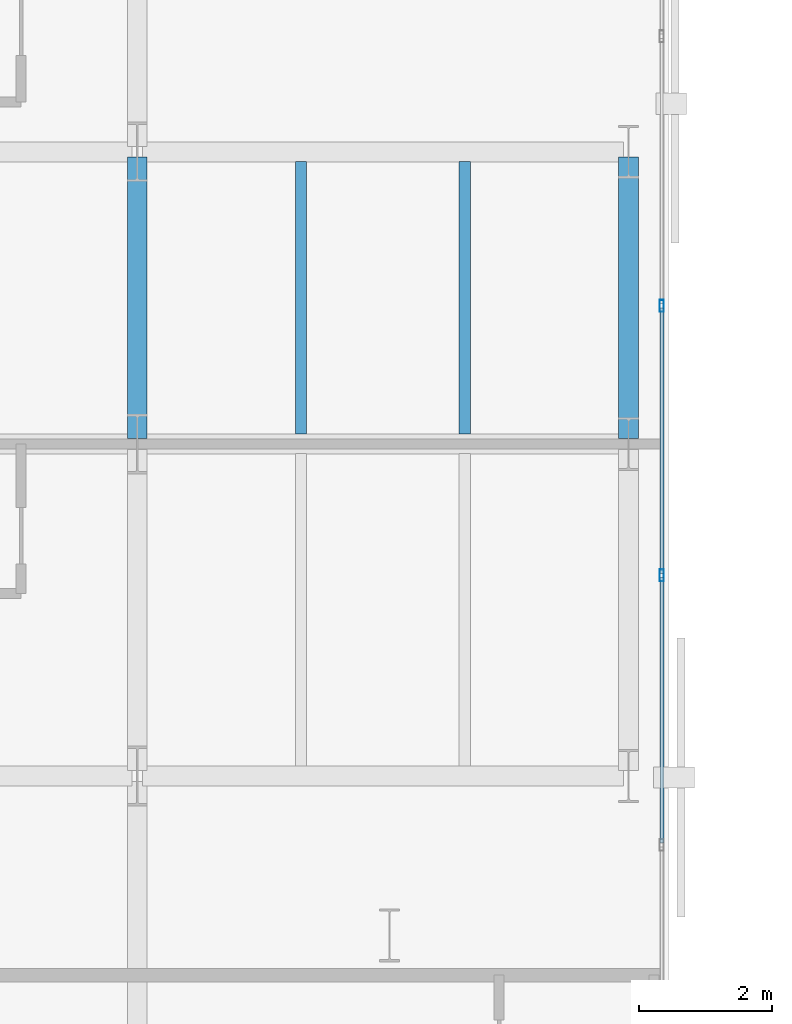
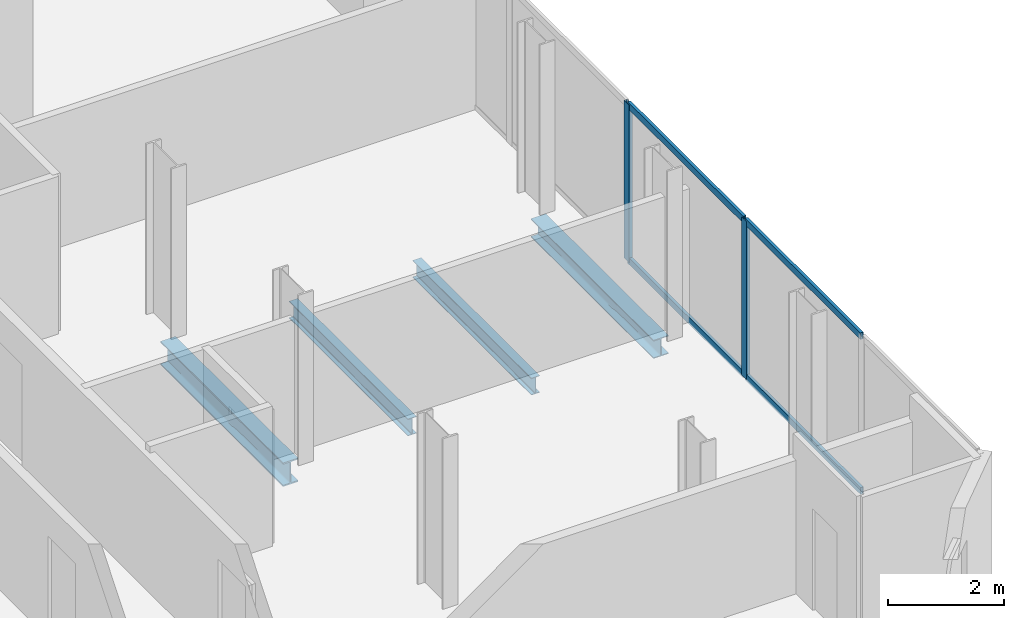
# One storey, part 8 of 33: 6 members, 4 beams, 1 element without a shape of its own.
"""IFC4 building model written with IfcOpenShell, lengths in metres."""

from ifc_helpers import new_model, si_unit, direction, frame, origin, origin_2d, place, context, subcontext, project, spatial, hollow_rectangle, i_section, extrude, material, layer, layer_set, material_profile, profile_set, type_object, element, aggregate, save


model = new_model("IFC4")

# Units and contexts
model_context = context("Model", 3, precision=1e-05, world=origin(), true_north=direction((0.0, 1.0)))
body_context = subcontext(model_context, "Body", "Model", "MODEL_VIEW")
ifc_project = project(units=[si_unit("LENGTHUNIT", "METRE"), si_unit("AREAUNIT", "SQUARE_METRE"), si_unit("VOLUMEUNIT", "CUBIC_METRE"), si_unit("PLANEANGLEUNIT", "RADIAN"), si_unit("MASSUNIT", "GRAM", prefix="KILO")], contexts=[model_context])

# Site, building, storey
site_placement = place(None, origin())
site = spatial("IfcSite", under=ifc_project, at=site_placement, CompositionType="ELEMENT")
building_placement = place(site_placement, origin())
building = spatial("IfcBuilding", under=site, at=building_placement, Name="Catumbela Crestline Tower", CompositionType="ELEMENT")
storey_placement = place(building_placement, frame((0.0, 0.0, 58.2)))
storey = spatial("IfcBuildingStorey", under=building, at=storey_placement, Name="L14", CompositionType="ELEMENT", Elevation=58.2)

# Beams
ifc_material_1 = material(Name="Structural steel S355J2", Category="steel")
ifc_material_profile_1 = material_profile(ifc_material_1, i_section(OverallWidth=0.3, OverallDepth=0.5, WebThickness=0.0145, FlangeThickness=0.028, FilletRadius=0.027, at=origin_2d()), Name="HEB 500")
ifc_profile_set_1 = profile_set([ifc_material_profile_1], Name="Structural steel S355J2")
beam_type_1 = type_object("IfcBeamType", Name="BG-HEB500", PredefinedType="BEAM", material=ifc_profile_set_1)
beam_1_placement = place(storey_placement, frame((16.0, 13.68, -0.51), z_axis=(0.0, 1.0, 0.0), x_axis=(-1.0, 0.0, 0.0)))
element("IfcBeam", 1, at=beam_1_placement, inside=storey, type_object=beam_type_1, Name="L14 Beam BM-L14-WNS66", PredefinedType="BEAM", context=body_context, shape_type="SweptSolid", body=[
    extrude(i_section(OverallWidth=0.3, OverallDepth=0.5, WebThickness=0.0145, FlangeThickness=0.028, FilletRadius=0.027, at=origin_2d()), origin(), (0.0, 0.0, 1.0), 4.24),
])
ifc_material_profile_2 = material_profile(ifc_material_1, i_section(OverallWidth=0.17, OverallDepth=0.36, WebThickness=0.008, FlangeThickness=0.0127, FilletRadius=0.018, at=origin_2d()), Name="IPE 360")
ifc_profile_set_2 = profile_set([ifc_material_profile_2], Name="Structural steel S355J2")
beam_type_2 = type_object("IfcBeamType", Name="BJ-IPE360", PredefinedType="JOIST", material=ifc_profile_set_2)
for number, where, z_axis, x_axis, name in (
    (2, (18.467, 13.747, -0.44), (0.0, 1.0, 0.0), (-1.0, 0.0, 0.0), "L14 Joist JS-L14-WG80"),
    (3, (20.933, 13.747, -0.44), (0.0, 1.0, 0.0), (-1.0, 0.0, 0.0), "L14 Joist JS-L14-WG81"),
):
    element("IfcBeam", number, at=place(storey_placement, frame(where, z_axis=z_axis, x_axis=x_axis)), inside=storey, type_object=beam_type_2, Name=name, PredefinedType="JOIST", context=body_context, shape_type="SweptSolid", body=[
        extrude(i_section(OverallWidth=0.17, OverallDepth=0.36, WebThickness=0.008, FlangeThickness=0.0127, FilletRadius=0.018, at=origin_2d()), origin(), (0.0, 0.0, 1.0), 4.106),
    ])

# Curtain wall, members
ifc_material_2 = material(Name="Aluminium alloy AW-6060-T66", Category="aluminium")
ifc_layer = layer(ifc_material_2, 0.18, Name="Aluminium alloy AW-6060-T66")
ifc_layer_set = layer_set([ifc_layer], Name="Aluminium alloy AW-6060-T66")
curtain_wall_type = type_object("IfcCurtainWallType", Name="CWU-Z1", PredefinedType="USERDEFINED", material=ifc_layer_set)
curtain_wall_placement = place(storey_placement, origin())
curtain_wall = element("IfcCurtainWall", 4, at=curtain_wall_placement, inside=storey, type_object=curtain_wall_type, Name="L14 Unitised Curtain Wall CW-L14-E2S1", ObjectType="UNITISED", PredefinedType="USERDEFINED")
ifc_material_profile_3 = material_profile(ifc_material_2, hollow_rectangle(XDim=0.065, YDim=0.18, WallThickness=0.004, at=origin_2d()), Name="ALU 180x65x4")
ifc_profile_set_3 = profile_set([ifc_material_profile_3], Name="Aluminium alloy AW-6060-T66")
member_type_1 = type_object("IfcMemberType", Name="MUL-180X65", PredefinedType="MULLION", material=ifc_profile_set_3)
member_1_placement = place(storey_placement, frame((23.9, 11.62, 0.0), z_axis=(0.0, 0.0, 1.0), x_axis=(-1.0, 0.0, 0.0)))
member_1 = element("IfcMember", 5, at=member_1_placement, type_object=member_type_1, Name="CWU-Z1 mullion 3", PredefinedType="MULLION", context=body_context, shape_type="SweptSolid", body=[
    extrude(hollow_rectangle(XDim=0.065, YDim=0.18, WallThickness=0.004, at=origin_2d()), origin(), (0.0, 0.0, 1.0), 3.33),
])
member_2_placement = place(storey_placement, frame((23.9, 15.68, 0.0), z_axis=(0.0, 0.0, 1.0), x_axis=(-1.0, 0.0, 0.0)))
member_2 = element("IfcMember", 6, at=member_2_placement, type_object=member_type_1, Name="CWU-Z1 mullion 4", PredefinedType="MULLION", context=body_context, shape_type="SweptSolid", body=[
    extrude(hollow_rectangle(XDim=0.065, YDim=0.18, WallThickness=0.004, at=origin_2d()), origin(), (0.0, 0.0, 1.0), 3.33),
])

# Beam
ifc_material_profile_4 = material_profile(ifc_material_1, i_section(OverallWidth=0.3, OverallDepth=0.39, WebThickness=0.011, FlangeThickness=0.019, FilletRadius=0.027, at=origin_2d()), Name="HEA 400")
ifc_profile_set_4 = profile_set([ifc_material_profile_4], Name="Structural steel S355J2")
beam_type_3 = type_object("IfcBeamType", Name="BS-HEA400", PredefinedType="SPANDREL", material=ifc_profile_set_4)
beam_2_placement = place(storey_placement, frame((23.4, 13.68, -0.455), z_axis=(0.0, 1.0, 0.0), x_axis=(-1.0, 0.0, 0.0)))
element("IfcBeam", 7, at=beam_2_placement, inside=storey, type_object=beam_type_3, Name="L14 Spandrel SP-L14-WNS69", PredefinedType="SPANDREL", context=body_context, shape_type="SweptSolid", body=[
    extrude(i_section(OverallWidth=0.3, OverallDepth=0.39, WebThickness=0.011, FlangeThickness=0.019, FilletRadius=0.027, at=origin_2d()), origin(), (0.0, 0.0, 1.0), 4.24),
])

# Member
ifc_material_profile_5 = material_profile(ifc_material_2, hollow_rectangle(XDim=0.06, YDim=0.14, WallThickness=0.004, at=origin_2d()), Name="ALU 140x60x4")
ifc_profile_set_5 = profile_set([ifc_material_profile_5], Name="Aluminium alloy AW-6060-T66")
member_type_2 = type_object("IfcMemberType", Name="TRN-140X60", PredefinedType="USERDEFINED", material=ifc_profile_set_5)
member_3_placement = place(storey_placement, frame((23.9, 7.5925, 0.03), z_axis=(0.0, 1.0, 0.0), x_axis=(-1.0, 0.0, 0.0)))
member_3 = element("IfcMember", 8, at=member_3_placement, type_object=member_type_2, Name="CWU-Z1 transom 2.1", ObjectType="TRANSOM", PredefinedType="USERDEFINED", context=body_context, shape_type="SweptSolid", body=[
    extrude(hollow_rectangle(XDim=0.06, YDim=0.14, WallThickness=0.004, at=origin_2d()), origin(), (0.0, 0.0, 1.0), 3.995),
])

member_4_placement = place(storey_placement, frame((23.9, 7.5925, 3.3), z_axis=(0.0, 1.0, 0.0), x_axis=(-1.0, 0.0, 0.0)))
member_4 = element("IfcMember", 9, at=member_4_placement, type_object=member_type_2, Name="CWU-Z1 transom 2.2", ObjectType="TRANSOM", PredefinedType="USERDEFINED", context=body_context, shape_type="SweptSolid", body=[
    extrude(hollow_rectangle(XDim=0.06, YDim=0.14, WallThickness=0.004, at=origin_2d()), origin(), (0.0, 0.0, 1.0), 3.995),
])

member_5_placement = place(storey_placement, frame((23.9, 11.6525, 0.03), z_axis=(0.0, 1.0, 0.0), x_axis=(-1.0, 0.0, 0.0)))
member_5 = element("IfcMember", 10, at=member_5_placement, type_object=member_type_2, Name="CWU-Z1 transom 3.1", ObjectType="TRANSOM", PredefinedType="USERDEFINED", context=body_context, shape_type="SweptSolid", body=[
    extrude(hollow_rectangle(XDim=0.06, YDim=0.14, WallThickness=0.004, at=origin_2d()), origin(), (0.0, 0.0, 1.0), 3.995),
])

member_6_placement = place(storey_placement, frame((23.9, 11.6525, 3.3), z_axis=(0.0, 1.0, 0.0), x_axis=(-1.0, 0.0, 0.0)))
member_6 = element("IfcMember", 11, at=member_6_placement, type_object=member_type_2, Name="CWU-Z1 transom 3.2", ObjectType="TRANSOM", PredefinedType="USERDEFINED", context=body_context, shape_type="SweptSolid", body=[
    extrude(hollow_rectangle(XDim=0.06, YDim=0.14, WallThickness=0.004, at=origin_2d()), origin(), (0.0, 0.0, 1.0), 3.995),
])

aggregate(curtain_wall, [member_1, member_2, member_3, member_4, member_5, member_6])

save(model, "model.ifc")
